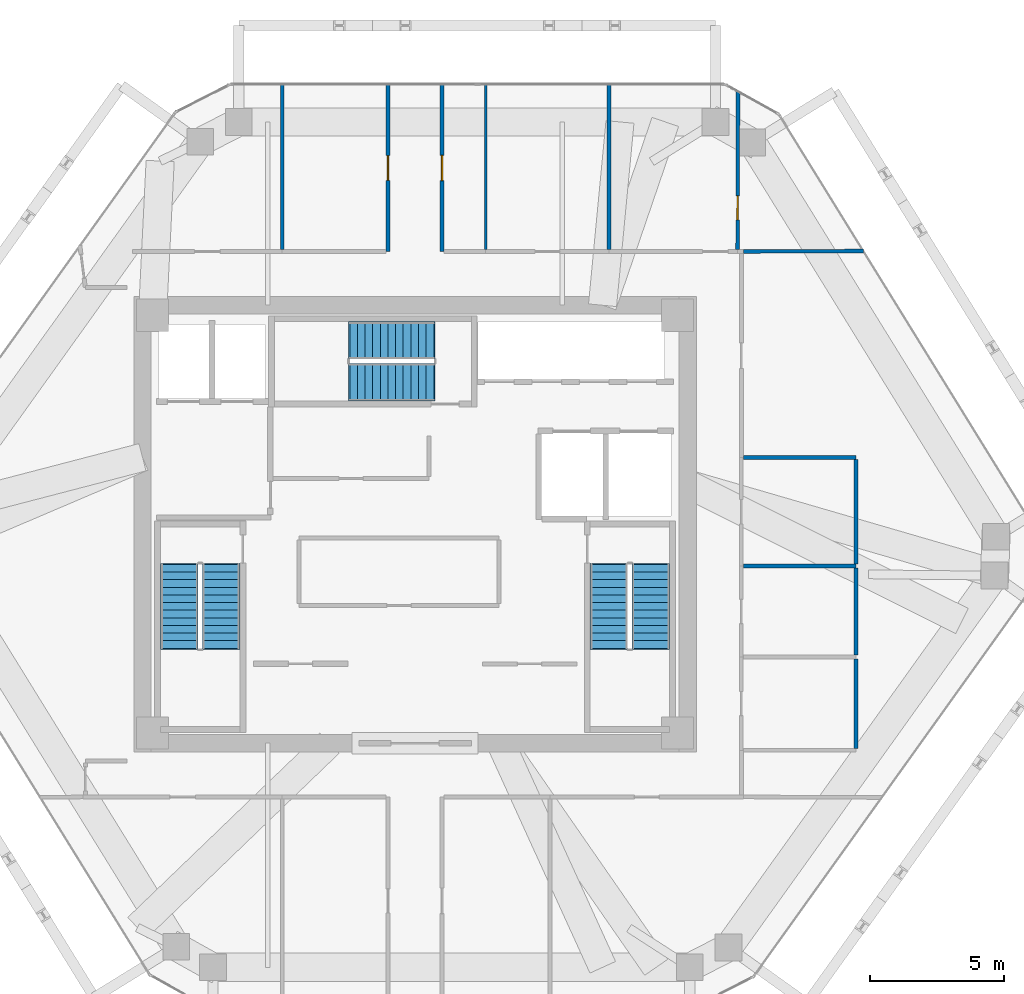
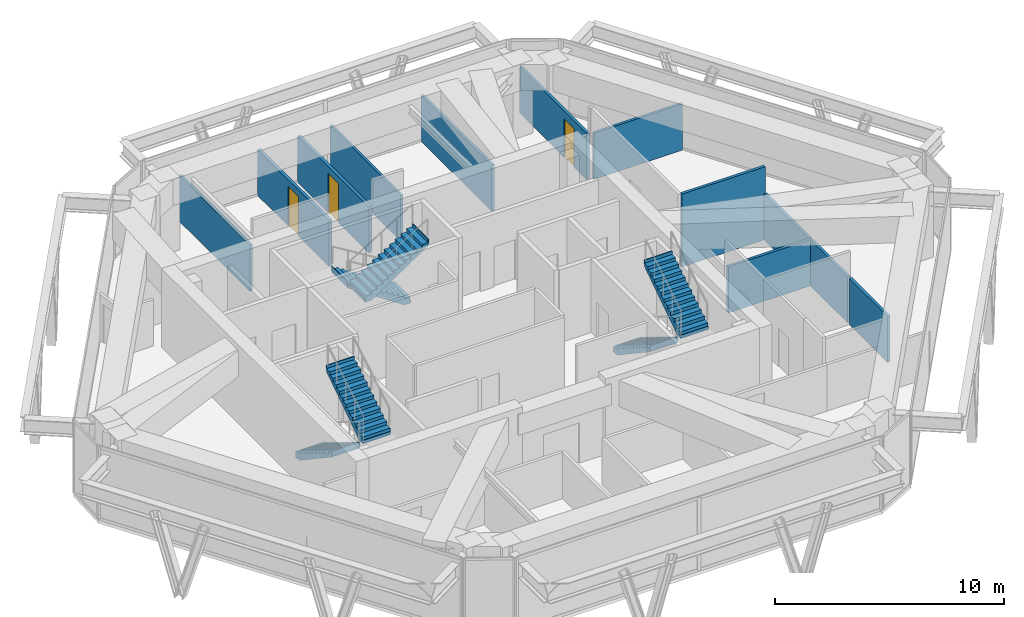
# One storey, part 10 of 11: 12 walls, 6 stair flights, 3 doors, 3 openings, 3 elements without a shape of their own.
"""IFC4 building model written with IfcOpenShell, lengths in metres."""

from ifc_helpers import new_model, si_unit, direction, frame, frame_2d, origin, place, context, subcontext, project, spatial, polyline, rectangle, outline, extrude, source, transform, mapped, material, layer, layer_set, type_object, type_shapes, element, fill, aggregate, save


model = new_model("IFC4")

# Units and contexts
model_context = context("Model", 3, precision=1e-05, world=origin(), true_north=direction((0.0, 1.0)))
body_context = subcontext(model_context, "Body", "Model", "MODEL_VIEW")
ifc_project = project(units=[si_unit("LENGTHUNIT", "METRE"), si_unit("AREAUNIT", "SQUARE_METRE"), si_unit("VOLUMEUNIT", "CUBIC_METRE"), si_unit("PLANEANGLEUNIT", "RADIAN"), si_unit("MASSUNIT", "GRAM", prefix="KILO")], contexts=[model_context])

# Site, building, storey
site_placement = place(None, origin())
site = spatial("IfcSite", under=ifc_project, at=site_placement, CompositionType="ELEMENT")
building_placement = place(site_placement, origin())
building = spatial("IfcBuilding", under=site, at=building_placement, Name="Durnholm Broadcast Tower", CompositionType="ELEMENT")
storey_placement = place(building_placement, frame((0.0, 0.0, 209.199951171875)))
storey = spatial("IfcBuildingStorey", under=building, at=storey_placement, Name="L58", CompositionType="ELEMENT", Elevation=209.199951171875)

# Walls
ifc_material_1 = material(Name="Operable Acoustic Panel Partition", Category="aluminium")
ifc_layer_1 = layer(ifc_material_1, 0.110107421875)
ifc_layer_set_1 = layer_set([ifc_layer_1], Name="Operable Acoustic Panel Partition")
wall_type_1 = type_object("IfcWallType", Name="WALL-MOV-110", PredefinedType="MOVABLE", material=ifc_layer_set_1)
wall_1_placement = place(storey_placement, frame((2.639892578125, 16.41796875, 0.0), z_axis=(0.0, 0.0, 1.0), x_axis=(0.0, -1.0, 0.0)))
element("IfcWall", 1, at=wall_1_placement, inside=storey, type_object=wall_type_1, Name="L58 room dividing partition 10.11", PredefinedType="MOVABLE", context=body_context, shape_type="SweptSolid", body=[
    extrude(rectangle(XDim=6.158935546875, YDim=0.110107421875, at=frame_2d((3.07958984375, 0.0))), origin(), (0.0, 0.0, 1.0), 2.469970703125),
])
ifc_material_2 = material(Name="Gypsum Metal Stud Partition", Category="concrete")
ifc_layer_2 = layer(ifc_material_2, 0.135009765625)
ifc_layer_set_2 = layer_set([ifc_layer_2], Name="Gypsum Metal Stud Partition")
wall_type_2 = type_object("IfcWallType", Name="WALL-PART-135", PredefinedType="PARTITIONING", material=ifc_layer_set_2)
for number, where, z_axis, x_axis, name in (
    (2, (-4.9599609375, 16.41796875, 0.0), (0.0, 0.0, 1.0), (0.0, -1.0, 0.0), "L58 room dividing partition 8.9"),
    (3, (7.239990234375, 16.41796875, 0.0), (0.0, 0.0, 1.0), (0.0, -1.0, 0.0), "L58 room dividing partition 11.12"),
):
    element("IfcWall", number, at=place(storey_placement, frame(where, z_axis=z_axis, x_axis=x_axis)), inside=storey, type_object=wall_type_2, Name=name, PredefinedType="PARTITIONING", context=body_context, shape_type="SweptSolid", body=[
        extrude(rectangle(XDim=6.158935546875, YDim=0.135009765625, at=frame_2d((3.07958984375, 0.0))), origin(), (0.0, 0.0, 1.0), 2.469970703125),
    ])

# Wall, opening, door
wall_2_placement = place(storey_placement, frame((12.0595703125, 16.1513671875, 0.0), z_axis=(0.0, 0.0, 1.0), x_axis=(-0.003273237074, -0.999994642945, 0.0)))
wall_2 = element("IfcWall", 4, at=wall_2_placement, inside=storey, type_object=wall_type_2, Name="L58 room dividing partition 12.13", PredefinedType="PARTITIONING", context=body_context, shape_type="SweptSolid", body=[
    extrude(rectangle(XDim=5.892333984375, YDim=0.135009765625, at=frame_2d((2.9462890625, 0.0))), origin(), (0.0, 0.0, 1.0), 2.469970703125),
])
opening_1_placement = place(wall_2_placement, frame((3.889892578125, 0.0, 0.0)))
opening_1 = element("IfcOpeningElement", 5, at=opening_1_placement, cuts=wall_2, Name="Opening DW-90L", PredefinedType="OPENING", context=body_context, shape_type="SweptSolid", body=[
    extrude(rectangle(XDim=0.89990234375, YDim=2.050048828125, at=frame_2d((0.449951171875, 1.02490234375))), frame((0.0, 0.07763671875, 0.0), z_axis=(0.0, -1.0, 0.0), x_axis=(1.0, 0.0, 0.0)), (0.0, 0.0, 1.0), 0.155029296875),
])
ifc_material_3 = material(Name="Laminate Restroom Door", Category="steel")
ifc_layer_3 = layer(ifc_material_3, 0.050048828125)
ifc_layer_set_3 = layer_set([ifc_layer_3], Name="Laminate Restroom Door")
door_type_1 = type_object("IfcDoorType", Name="DOOR-WC-900L", OperationType="NOTDEFINED", PredefinedType="DOOR", material=ifc_layer_set_3)
shared_shape_1 = source(origin(), body_context, "Body", "SweptSolid", [
    extrude(rectangle(XDim=0.89990234375, YDim=2.050048828125, at=frame_2d((0.449951171875, 1.02490234375))), frame((0.0, 0.02490234375, 0.0), z_axis=(0.0, -1.0, 0.0), x_axis=(1.0, 0.0, 0.0)), (0.0, 0.0, 1.0), 0.050048828125),
])
type_shapes(door_type_1, [shared_shape_1])
door_1_placement = place(opening_1_placement, origin())
door_1 = element("IfcDoor", 6, at=door_1_placement, inside=storey, type_object=door_type_1, Name="L58 Royalty Analyst Office connecting door", OperationType="SINGLE_SWING_LEFT", OverallHeight=2.050048828125, OverallWidth=0.89990234375, PredefinedType="DOOR", context=body_context, shape_type="MappedRepresentation", body=[
    mapped(shared_shape_1, transform((0.0, 0.0, 0.0), x_axis=(1.0, 0.0, 0.0), y_axis=(0.0, 1.0, 0.0), z_axis=(0.0, 0.0, 1.0), scale=1.0)),
])
fill(opening_1, door_1)

# Wall
wall_3_placement = place(storey_placement, frame((16.739990234375, 10.200927734375, 0.0), z_axis=(0.0, 0.0, 1.0), x_axis=(-0.999989522694, -0.004577608714, 0.0)))
element("IfcWall", 7, at=wall_3_placement, inside=storey, type_object=wall_type_2, Name="L58 room dividing partition 13.20", PredefinedType="PARTITIONING", context=body_context, shape_type="SweptSolid", body=[
    extrude(rectangle(XDim=4.47998046875, YDim=0.135009765625, at=frame_2d((2.239990234375, 0.0))), origin(), (0.0, 0.0, 1.0), 2.469970703125),
])

# Wall, opening, door
ifc_material_4 = material(Name="Acoustic Gypsum Stud Partition", Category="concrete")
ifc_layer_4 = layer(ifc_material_4, 0.14990234375)
ifc_layer_set_4 = layer_set([ifc_layer_4], Name="Acoustic Gypsum Stud Partition")
wall_type_3 = type_object("IfcWallType", Name="WALL-PART-150", PredefinedType="PARTITIONING", material=ifc_layer_set_4)
wall_4_placement = place(storey_placement, frame((-1.010009765625, 16.41796875, 0.0), z_axis=(0.0, 0.0, 1.0), x_axis=(0.0, -1.0, 0.0)))
wall_4 = element("IfcWall", 8, at=wall_4_placement, inside=storey, type_object=wall_type_3, Name="L58 Soundtrack Mixing Office corridor partition", PredefinedType="PARTITIONING", context=body_context, shape_type="SweptSolid", body=[
    extrude(rectangle(XDim=6.238037109375, YDim=0.14990234375, at=frame_2d((3.119140625, 0.0))), origin(), (0.0, 0.0, 1.0), 2.469970703125),
])
opening_2_placement = place(wall_4_placement, frame((2.658935546875, 0.0, 0.0)))
opening_2 = element("IfcOpeningElement", 9, at=opening_2_placement, cuts=wall_4, Name="Opening DR-92R", PredefinedType="OPENING", context=body_context, shape_type="SweptSolid", body=[
    extrude(rectangle(XDim=0.919921875, YDim=2.10009765625, at=frame_2d((0.4599609375, 1.050048828125))), frame((0.0, 0.0849609375, 0.0), z_axis=(0.0, -1.0, 0.0), x_axis=(1.0, 0.0, 0.0)), (0.0, 0.0, 1.0), 0.169921875),
])
ifc_material_5 = material(Name="Oak Veneer Office Door", Category="wood")
ifc_layer_5 = layer(ifc_material_5, 0.050048828125)
ifc_layer_set_5 = layer_set([ifc_layer_5], Name="Oak Veneer Office Door")
door_type_2 = type_object("IfcDoorType", Name="DOOR-RM-920R", OperationType="NOTDEFINED", PredefinedType="DOOR", material=ifc_layer_set_5)
shared_shape_2 = source(origin(), body_context, "Body", "SweptSolid", [
    extrude(rectangle(XDim=0.919921875, YDim=2.10009765625, at=frame_2d((0.4599609375, 1.050048828125))), frame((0.0, 0.02490234375, 0.0), z_axis=(0.0, -1.0, 0.0), x_axis=(1.0, 0.0, 0.0)), (0.0, 0.0, 1.0), 0.050048828125),
])
type_shapes(door_type_2, [shared_shape_2])
door_2_placement = place(opening_2_placement, origin())
door_2 = element("IfcDoor", 10, at=door_2_placement, inside=storey, type_object=door_type_2, Name="L58 Soundtrack Mixing Office entrance door", OperationType="SINGLE_SWING_RIGHT", OverallHeight=2.10009765625, OverallWidth=0.919921875, PredefinedType="DOOR", context=body_context, shape_type="MappedRepresentation", body=[
    mapped(shared_shape_2, transform((0.0, 0.0, 0.0), x_axis=(1.0, 0.0, 0.0), y_axis=(0.0, 1.0, 0.0), z_axis=(0.0, 0.0, 1.0), scale=1.0)),
])
fill(opening_2, door_2)

wall_5_placement = place(storey_placement, frame((1.010009765625, 10.179931640625, 0.0), z_axis=(0.0, 0.0, 1.0), x_axis=(0.0, 1.0, 0.0)))
wall_5 = element("IfcWall", 11, at=wall_5_placement, inside=storey, type_object=wall_type_3, Name="L58 Licensing Meeting Room corridor partition", PredefinedType="PARTITIONING", context=body_context, shape_type="SweptSolid", body=[
    extrude(rectangle(XDim=6.238037109375, YDim=0.14990234375, at=frame_2d((3.119140625, 0.0))), origin(), (0.0, 0.0, 1.0), 2.469970703125),
])
opening_3_placement = place(wall_5_placement, frame((2.64404296875, 0.0, 0.0)))
opening_3 = element("IfcOpeningElement", 12, at=opening_3_placement, cuts=wall_5, Name="Opening DR-95L", PredefinedType="OPENING", context=body_context, shape_type="SweptSolid", body=[
    extrude(rectangle(XDim=0.949951171875, YDim=2.10009765625, at=frame_2d((0.47509765625, 1.050048828125))), frame((0.0, 0.0849609375, 0.0), z_axis=(0.0, -1.0, 0.0), x_axis=(1.0, 0.0, 0.0)), (0.0, 0.0, 1.0), 0.169921875),
])
ifc_material_6 = material(Name="Acoustic Oak Veneer Timber Door", Category="wood")
ifc_layer_6 = layer(ifc_material_6, 0.050048828125)
ifc_layer_set_6 = layer_set([ifc_layer_6], Name="Acoustic Oak Veneer Timber Door")
door_type_3 = type_object("IfcDoorType", Name="DOOR-RM-950L", OperationType="NOTDEFINED", PredefinedType="DOOR", material=ifc_layer_set_6)
shared_shape_3 = source(origin(), body_context, "Body", "SweptSolid", [
    extrude(rectangle(XDim=0.949951171875, YDim=2.10009765625, at=frame_2d((0.47509765625, 1.050048828125))), frame((0.0, 0.02490234375, 0.0), z_axis=(0.0, -1.0, 0.0), x_axis=(1.0, 0.0, 0.0)), (0.0, 0.0, 1.0), 0.050048828125),
])
type_shapes(door_type_3, [shared_shape_3])
door_3_placement = place(opening_3_placement, origin())
door_3 = element("IfcDoor", 13, at=door_3_placement, inside=storey, type_object=door_type_3, Name="L58 Licensing Meeting Room entrance door", OperationType="SINGLE_SWING_LEFT", OverallHeight=2.10009765625, OverallWidth=0.949951171875, PredefinedType="DOOR", context=body_context, shape_type="MappedRepresentation", body=[
    mapped(shared_shape_3, transform((0.0, 0.0, 0.0), x_axis=(1.0, 0.0, 0.0), y_axis=(0.0, 1.0, 0.0), z_axis=(0.0, 0.0, 1.0), scale=1.0)),
])
fill(opening_3, door_3)

# Walls
ifc_material_7 = material(Name="Moisture-Resistant Tile Partition", Category="concrete")
ifc_layer_7 = layer(ifc_material_7, 0.139892578125)
ifc_layer_set_7 = layer_set([ifc_layer_7], Name="Moisture-Resistant Tile Partition")
wall_type_4 = type_object("IfcWallType", Name="WALL-WC-140", PredefinedType="PARTITIONING", material=ifc_layer_set_7)
wall_6_placement = place(storey_placement, frame((16.4599609375, -5.033935546875, 0.0), z_axis=(0.0, 0.0, 1.0), x_axis=(0.0, -1.0, 0.0)))
element("IfcWall", 14, at=wall_6_placement, inside=storey, type_object=wall_type_4, Name="L58 room dividing partition 5.20", PredefinedType="PARTITIONING", context=body_context, shape_type="SweptSolid", body=[
    extrude(rectangle(XDim=3.33203125, YDim=0.139892578125, at=frame_2d((1.666015625, 0.0))), origin(), (0.0, 0.0, 1.0), 2.469970703125),
])
wall_7_placement = place(storey_placement, frame((12.25390625, -1.56005859375, 0.0), z_axis=(0.0, 0.0, 1.0), x_axis=(1.0, 0.0, 0.0)))
element("IfcWall", 15, at=wall_7_placement, inside=storey, type_object=wall_type_4, Name="L58 room dividing partition 6.7", PredefinedType="PARTITIONING", context=body_context, shape_type="SweptSolid", body=[
    extrude(rectangle(XDim=4.2060546875, YDim=0.139892578125, at=frame_2d((2.10302734375, 0.0))), origin(), (0.0, 0.0, 1.0), 2.469970703125),
])
wall_8_placement = place(storey_placement, frame((16.4599609375, -1.634033203125, 0.0), z_axis=(0.0, 0.0, 1.0), x_axis=(0.0, -1.0, 0.0)))
element("IfcWall", 16, at=wall_8_placement, inside=storey, type_object=wall_type_4, Name="L58 room dividing partition 6.20", PredefinedType="PARTITIONING", context=body_context, shape_type="SweptSolid", body=[
    extrude(rectangle(XDim=3.251953125, YDim=0.139892578125, at=frame_2d((1.6259765625, 0.0))), origin(), (0.0, 0.0, 1.0), 2.469970703125),
])
wall_9_placement = place(storey_placement, frame((12.259033203125, 2.489990234375, 0.0), z_axis=(0.0, 0.0, 1.0), x_axis=(1.0, 0.0, 0.0)))
element("IfcWall", 17, at=wall_9_placement, inside=storey, type_object=wall_type_4, Name="L58 room dividing partition 7.20", PredefinedType="PARTITIONING", context=body_context, shape_type="SweptSolid", body=[
    extrude(rectangle(XDim=4.200927734375, YDim=0.139892578125, at=frame_2d((2.1005859375, 0.0))), origin(), (0.0, 0.0, 1.0), 3.885009765625),
])
wall_10_placement = place(storey_placement, frame((16.4599609375, 2.416015625, 0.0), z_axis=(0.0, 0.0, 1.0), x_axis=(0.0, -1.0, 0.0)))
element("IfcWall", 18, at=wall_10_placement, inside=storey, type_object=wall_type_4, Name="L58 room dividing partition 7.20", PredefinedType="PARTITIONING", context=body_context, shape_type="SweptSolid", body=[
    extrude(rectangle(XDim=3.902099609375, YDim=0.139892578125, at=frame_2d((1.951171875, 0.0))), origin(), (0.0, 0.0, 1.0), 2.469970703125),
])

# Stair, stair flights
ifc_material_8 = material(Name="Concrete C50/60", Category="concrete")
stair_type = type_object("IfcStairType", Name="STAIR-DL-24R1750", PredefinedType="HALF_TURN_STAIR", material=ifc_material_8)
stair_1_placement = place(storey_placement, origin())
stair_1 = element("IfcStair", 19, at=stair_1_placement, inside=storey, type_object=stair_type, Name="L58 ST-1", PredefinedType="HALF_TURN_STAIR")
stair_flight_type = type_object("IfcStairFlightType", Name="FLIGHT-DL-24R1750", PredefinedType="STRAIGHT", material=ifc_material_8)
stair_flight_1_placement = place(storey_placement, frame((-8.800048828125, -1.5, 0.0), z_axis=(0.0, 0.0, 1.0), x_axis=(0.0, -1.0, 0.0)))
stair_flight_1 = element("IfcStairFlight", 20, at=stair_flight_1_placement, type_object=stair_flight_type, Name="ST-1 flight 1", NumberOfRisers=12, NumberOfTreads=11, PredefinedType="STRAIGHT", RiserHeight=0.175, TreadLength=0.285, context=body_context, shape_type="SweptSolid", body=[
    extrude(outline(polyline([(-0.0400390625, -0.14990234375), (-0.0400390625, 0.0), (0.0, 0.0), (0.0, 0.175048828125), (0.284912109375, 0.175048828125), (0.284912109375, 0.35009765625), (0.570068359375, 0.35009765625), (0.570068359375, 0.52490234375), (0.85498046875, 0.52490234375), (0.85498046875, 0.699951171875), (1.139892578125, 0.699951171875), (1.139892578125, 0.875), (1.425048828125, 0.875), (1.425048828125, 1.050048828125), (1.7099609375, 1.050048828125), (1.7099609375, 1.22509765625), (1.9951171875, 1.22509765625), (1.9951171875, 1.39990234375), (2.280029296875, 1.39990234375), (2.280029296875, 1.574951171875), (2.56494140625, 1.574951171875), (2.56494140625, 1.75), (2.85009765625, 1.75), (2.85009765625, 1.925048828125), (3.135009765625, 1.925048828125), (3.135009765625, 2.10009765625), (3.175048828125, 2.10009765625), (3.175048828125, 1.9501953125), (3.135009765625, 1.7490234375), (0.286376953125, -0.14990234375), (-0.0400390625, -0.14990234375)])), frame((0.0, 0.699951171875, 0.0), z_axis=(0.0, -1.0, 0.0), x_axis=(1.0, 0.0, 0.0)), (0.0, 0.0, 1.0), 1.39990234375),
])
stair_flight_2_placement = place(storey_placement, frame((-7.239990234375, -4.635009765625, 2.10009765625), z_axis=(0.0, 0.0, 1.0), x_axis=(0.0, 1.0, 0.0)))
stair_flight_2 = element("IfcStairFlight", 21, at=stair_flight_2_placement, type_object=stair_flight_type, Name="ST-1 flight 2", NumberOfRisers=12, NumberOfTreads=11, PredefinedType="STRAIGHT", RiserHeight=0.175, TreadLength=0.285, context=body_context, shape_type="SweptSolid", body=[
    extrude(outline(polyline([(-0.0400390625, -0.14990234375), (-0.0400390625, 0.0), (0.0, 0.0), (0.0, 0.175048828125), (0.284912109375, 0.175048828125), (0.284912109375, 0.35009765625), (0.570068359375, 0.35009765625), (0.570068359375, 0.52490234375), (0.85498046875, 0.52490234375), (0.85498046875, 0.699951171875), (1.139892578125, 0.699951171875), (1.139892578125, 0.875), (1.425048828125, 0.875), (1.425048828125, 1.050048828125), (1.7099609375, 1.050048828125), (1.7099609375, 1.22509765625), (1.9951171875, 1.22509765625), (1.9951171875, 1.39990234375), (2.280029296875, 1.39990234375), (2.280029296875, 1.574951171875), (2.56494140625, 1.574951171875), (2.56494140625, 1.75), (2.85009765625, 1.75), (2.85009765625, 1.925048828125), (3.135009765625, 1.925048828125), (3.135009765625, 2.10009765625), (3.175048828125, 2.10009765625), (3.175048828125, 1.9501953125), (3.135009765625, 1.7490234375), (0.286376953125, -0.14990234375), (-0.0400390625, -0.14990234375)])), frame((0.0, 0.699951171875, 0.0), z_axis=(0.0, -1.0, 0.0), x_axis=(1.0, 0.0, 0.0)), (0.0, 0.0, 1.0), 1.39990234375),
])
aggregate(stair_1, [stair_flight_1, stair_flight_2])

stair_2_placement = place(storey_placement, origin())
stair_2 = element("IfcStair", 22, at=stair_2_placement, inside=storey, type_object=stair_type, Name="L58 ST-2", PredefinedType="HALF_TURN_STAIR")
stair_flight_3_placement = place(storey_placement, frame((7.239990234375, -1.5, 0.0), z_axis=(0.0, 0.0, 1.0), x_axis=(0.0, -1.0, 0.0)))
stair_flight_3 = element("IfcStairFlight", 23, at=stair_flight_3_placement, type_object=stair_flight_type, Name="ST-2 flight 1", NumberOfRisers=12, NumberOfTreads=11, PredefinedType="STRAIGHT", RiserHeight=0.175, TreadLength=0.285, context=body_context, shape_type="SweptSolid", body=[
    extrude(outline(polyline([(-0.0400390625, -0.14990234375), (-0.0400390625, 0.0), (0.0, 0.0), (0.0, 0.175048828125), (0.284912109375, 0.175048828125), (0.284912109375, 0.35009765625), (0.570068359375, 0.35009765625), (0.570068359375, 0.52490234375), (0.85498046875, 0.52490234375), (0.85498046875, 0.699951171875), (1.139892578125, 0.699951171875), (1.139892578125, 0.875), (1.425048828125, 0.875), (1.425048828125, 1.050048828125), (1.7099609375, 1.050048828125), (1.7099609375, 1.22509765625), (1.9951171875, 1.22509765625), (1.9951171875, 1.39990234375), (2.280029296875, 1.39990234375), (2.280029296875, 1.574951171875), (2.56494140625, 1.574951171875), (2.56494140625, 1.75), (2.85009765625, 1.75), (2.85009765625, 1.925048828125), (3.135009765625, 1.925048828125), (3.135009765625, 2.10009765625), (3.175048828125, 2.10009765625), (3.175048828125, 1.9501953125), (3.135009765625, 1.7490234375), (0.286376953125, -0.14990234375), (-0.0400390625, -0.14990234375)])), frame((0.0, 0.699951171875, 0.0), z_axis=(0.0, -1.0, 0.0), x_axis=(1.0, 0.0, 0.0)), (0.0, 0.0, 1.0), 1.39990234375),
])
stair_flight_4_placement = place(storey_placement, frame((8.800048828125, -4.635009765625, 2.10009765625), z_axis=(0.0, 0.0, 1.0), x_axis=(0.0, 1.0, 0.0)))
stair_flight_4 = element("IfcStairFlight", 24, at=stair_flight_4_placement, type_object=stair_flight_type, Name="ST-2 flight 2", NumberOfRisers=12, NumberOfTreads=11, PredefinedType="STRAIGHT", RiserHeight=0.175, TreadLength=0.285, context=body_context, shape_type="SweptSolid", body=[
    extrude(outline(polyline([(-0.0400390625, -0.14990234375), (-0.0400390625, 0.0), (0.0, 0.0), (0.0, 0.175048828125), (0.284912109375, 0.175048828125), (0.284912109375, 0.35009765625), (0.570068359375, 0.35009765625), (0.570068359375, 0.52490234375), (0.85498046875, 0.52490234375), (0.85498046875, 0.699951171875), (1.139892578125, 0.699951171875), (1.139892578125, 0.875), (1.425048828125, 0.875), (1.425048828125, 1.050048828125), (1.7099609375, 1.050048828125), (1.7099609375, 1.22509765625), (1.9951171875, 1.22509765625), (1.9951171875, 1.39990234375), (2.280029296875, 1.39990234375), (2.280029296875, 1.574951171875), (2.56494140625, 1.574951171875), (2.56494140625, 1.75), (2.85009765625, 1.75), (2.85009765625, 1.925048828125), (3.135009765625, 1.925048828125), (3.135009765625, 2.10009765625), (3.175048828125, 2.10009765625), (3.175048828125, 1.9501953125), (3.135009765625, 1.7490234375), (0.286376953125, -0.14990234375), (-0.0400390625, -0.14990234375)])), frame((0.0, 0.699951171875, 0.0), z_axis=(0.0, -1.0, 0.0), x_axis=(1.0, 0.0, 0.0)), (0.0, 0.0, 1.0), 1.39990234375),
])
aggregate(stair_2, [stair_flight_3, stair_flight_4])

stair_3_placement = place(storey_placement, origin())
stair_3 = element("IfcStair", 25, at=stair_3_placement, inside=storey, type_object=stair_type, Name="L58 ST-3", PredefinedType="HALF_TURN_STAIR")
stair_flight_5_placement = place(storey_placement, frame((0.699951171875, 6.860107421875, 0.0), z_axis=(0.0, 0.0, 1.0), x_axis=(-1.0, 0.0, 0.0)))
stair_flight_5 = element("IfcStairFlight", 26, at=stair_flight_5_placement, type_object=stair_flight_type, Name="ST-3 flight 1", NumberOfRisers=12, NumberOfTreads=11, PredefinedType="STRAIGHT", RiserHeight=0.175, TreadLength=0.285, context=body_context, shape_type="SweptSolid", body=[
    extrude(outline(polyline([(-0.0400390625, -0.14990234375), (-0.0400390625, 0.0), (0.0, 0.0), (0.0, 0.175048828125), (0.284912109375, 0.175048828125), (0.284912109375, 0.35009765625), (0.570068359375, 0.35009765625), (0.570068359375, 0.52490234375), (0.85498046875, 0.52490234375), (0.85498046875, 0.699951171875), (1.139892578125, 0.699951171875), (1.139892578125, 0.875), (1.425048828125, 0.875), (1.425048828125, 1.050048828125), (1.7099609375, 1.050048828125), (1.7099609375, 1.22509765625), (1.9951171875, 1.22509765625), (1.9951171875, 1.39990234375), (2.280029296875, 1.39990234375), (2.280029296875, 1.574951171875), (2.56494140625, 1.574951171875), (2.56494140625, 1.75), (2.85009765625, 1.75), (2.85009765625, 1.925048828125), (3.135009765625, 1.925048828125), (3.135009765625, 2.10009765625), (3.175048828125, 2.10009765625), (3.175048828125, 1.9501953125), (3.135009765625, 1.7490234375), (0.286376953125, -0.14990234375), (-0.0400390625, -0.14990234375)])), frame((0.0, 0.699951171875, 0.0), z_axis=(0.0, -1.0, 0.0), x_axis=(1.0, 0.0, 0.0)), (0.0, 0.0, 1.0), 1.39990234375),
])
stair_flight_6_placement = place(storey_placement, frame((-2.43505859375, 5.300048828125, 2.10009765625), z_axis=(0.0, 0.0, 1.0), x_axis=(1.0, 0.0, 0.0)))
stair_flight_6 = element("IfcStairFlight", 27, at=stair_flight_6_placement, type_object=stair_flight_type, Name="ST-3 flight 2", NumberOfRisers=12, NumberOfTreads=11, PredefinedType="STRAIGHT", RiserHeight=0.175, TreadLength=0.285, context=body_context, shape_type="SweptSolid", body=[
    extrude(outline(polyline([(-0.0400390625, -0.14990234375), (-0.0400390625, 0.0), (0.0, 0.0), (0.0, 0.175048828125), (0.284912109375, 0.175048828125), (0.284912109375, 0.35009765625), (0.570068359375, 0.35009765625), (0.570068359375, 0.52490234375), (0.85498046875, 0.52490234375), (0.85498046875, 0.699951171875), (1.139892578125, 0.699951171875), (1.139892578125, 0.875), (1.425048828125, 0.875), (1.425048828125, 1.050048828125), (1.7099609375, 1.050048828125), (1.7099609375, 1.22509765625), (1.9951171875, 1.22509765625), (1.9951171875, 1.39990234375), (2.280029296875, 1.39990234375), (2.280029296875, 1.574951171875), (2.56494140625, 1.574951171875), (2.56494140625, 1.75), (2.85009765625, 1.75), (2.85009765625, 1.925048828125), (3.135009765625, 1.925048828125), (3.135009765625, 2.10009765625), (3.175048828125, 2.10009765625), (3.175048828125, 1.9501953125), (3.135009765625, 1.7490234375), (0.286376953125, -0.14990234375), (-0.0400390625, -0.14990234375)])), frame((0.0, 0.699951171875, 0.0), z_axis=(0.0, -1.0, 0.0), x_axis=(1.0, 0.0, 0.0)), (0.0, 0.0, 1.0), 1.39990234375),
])
aggregate(stair_3, [stair_flight_5, stair_flight_6])

save(model, "model.ifc")
